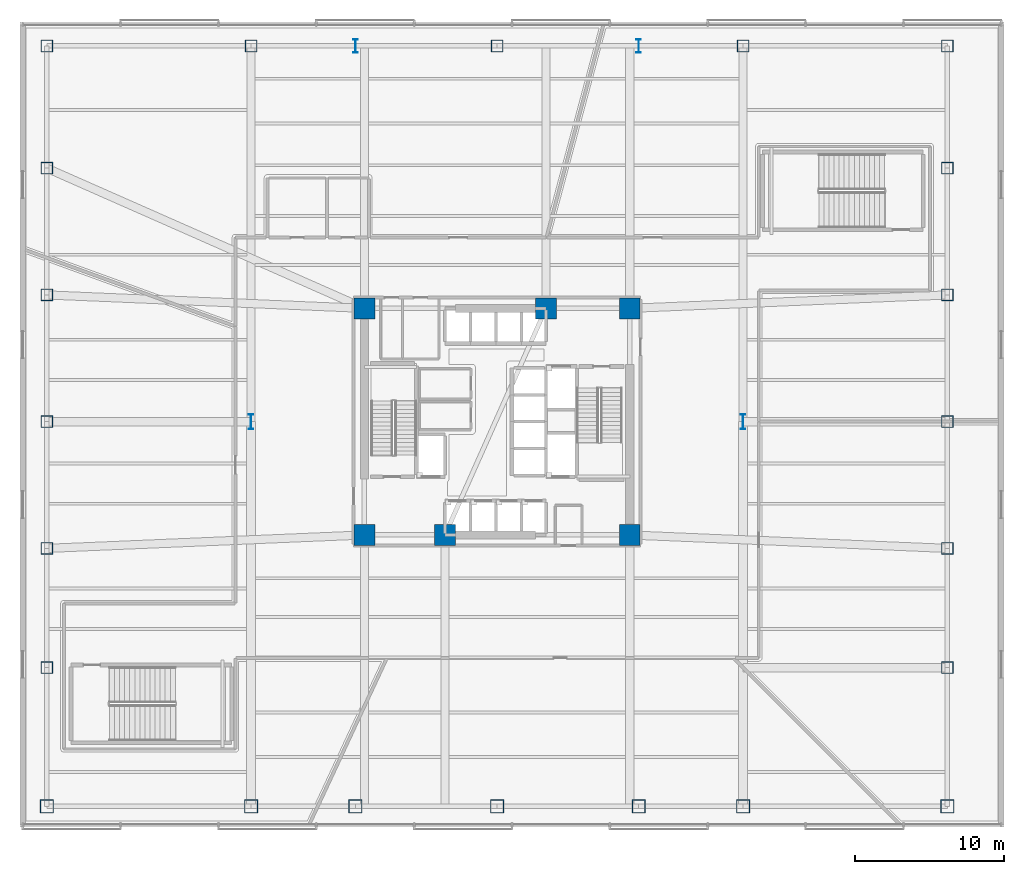
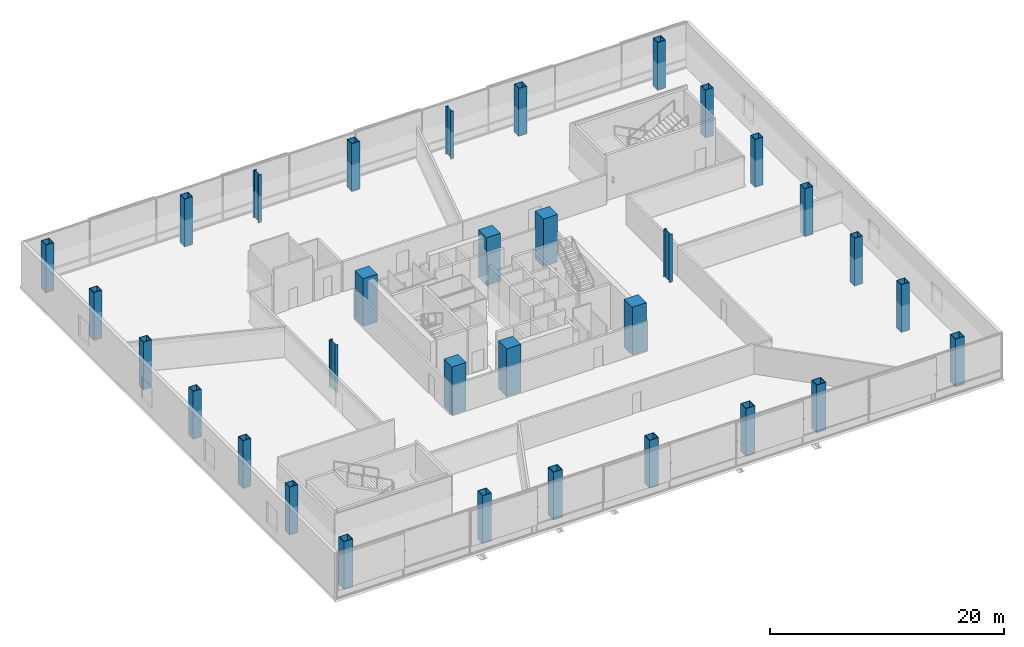
# One storey, part 1 of 24: 32 columns.
"""IFC4 building model written with IfcOpenShell, lengths in metres."""

from ifc_helpers import new_model, si_unit, direction, frame, origin, origin_2d, place, context, subcontext, project, spatial, rectangle, hollow_rectangle, i_section, extrude, material, material_profile, profile_set, type_object, element, save


model = new_model("IFC4")

# Units and contexts
model_context = context("Model", 3, precision=1e-05, world=origin(), true_north=direction((0.0, 1.0)))
body_context = subcontext(model_context, "Body", "Model", "MODEL_VIEW")
ifc_project = project(units=[si_unit("LENGTHUNIT", "METRE"), si_unit("AREAUNIT", "SQUARE_METRE"), si_unit("VOLUMEUNIT", "CUBIC_METRE"), si_unit("PLANEANGLEUNIT", "RADIAN"), si_unit("MASSUNIT", "GRAM", prefix="KILO")], contexts=[model_context])

# Site, building, storey
site_placement = place(None, origin())
site = spatial("IfcSite", under=ifc_project, at=site_placement, CompositionType="ELEMENT")
building_placement = place(site_placement, origin())
building = spatial("IfcBuilding", under=site, at=building_placement, Name="Tharavind Bronze Gate", CompositionType="ELEMENT")
storey_placement = place(building_placement, frame((0.0, 0.0, 21.5)))
storey = spatial("IfcBuildingStorey", under=building, at=storey_placement, Name="L04", CompositionType="ELEMENT", Elevation=21.5)

# Columns
ifc_material_1 = material(Name="Concrete C70/85", Category="concrete")
ifc_material_profile_1 = material_profile(ifc_material_1, rectangle(XDim=1.39990234375, YDim=1.39990234375, at=origin_2d()), Name="RCCOL1400")
ifc_profile_set_1 = profile_set([ifc_material_profile_1], Name="Concrete C70/85")
column_type_1 = type_object("IfcColumnType", Name="MEGA CORE COLUMN 1400", PredefinedType="COLUMN", material=ifc_profile_set_1)
for number, where, z_axis, x_axis, name in (
    (1, (-8.89990234375, -7.60009765625, 0.0), (0.0, 0.0, 1.0), (1.0, 0.0, 0.0), "L04 core mega column MC1"),
    (2, (-3.5, -7.60009765625, 0.0), (0.0, 0.0, 1.0), (1.0, 0.0, 0.0), "L04 core mega column MC2"),
    (3, (8.89990234375, -7.60009765625, 0.0), (0.0, 0.0, 1.0), (1.0, 0.0, 0.0), "L04 core mega column MC3"),
    (4, (8.89990234375, 7.60009765625, 0.0), (0.0, 0.0, 1.0), (1.0, 0.0, 0.0), "L04 core mega column MC4"),
    (5, (3.280029296875, 7.60009765625, 0.0), (0.0, 0.0, 1.0), (1.0, 0.0, 0.0), "L04 core mega column MC5"),
    (6, (-8.89990234375, 7.60009765625, 0.0), (0.0, 0.0, 1.0), (1.0, 0.0, 0.0), "L04 core mega column MC6"),
):
    element("IfcColumn", number, at=place(storey_placement, frame(where, z_axis=z_axis, x_axis=x_axis)), inside=storey, type_object=column_type_1, Name=name, PredefinedType="COLUMN", context=body_context, shape_type="SweptSolid", body=[
        extrude(rectangle(XDim=1.39990234375, YDim=1.39990234375, at=origin_2d()), origin(), (0.0, 0.0, 1.0), 5.0),
    ])
ifc_material_2 = material(Name="Steel S460", Category="steel")
ifc_material_profile_2 = material_profile(ifc_material_2, hollow_rectangle(XDim=0.800048828125, YDim=0.800048828125, WallThickness=0.044921875, at=origin_2d()), Name="SHS800X45")
ifc_profile_set_2 = profile_set([ifc_material_profile_2], Name="Steel S460")
column_type_2 = type_object("IfcColumnType", Name="PERIMETER BOX COLUMN SHS800", PredefinedType="COLUMN", material=ifc_profile_set_2)
for number, where, z_axis, x_axis, name in (
    (7, (-30.199951171875, 25.199951171875, 0.0), (0.0, 0.0, 1.0), (1.0, 0.0, 0.0), "L04 podium column PN10"),
    (8, (-16.5, 25.199951171875, 0.0), (0.0, 0.0, 1.0), (1.0, 0.0, 0.0), "L04 podium column PN24"),
    (9, (0.0, 25.199951171875, 0.0), (0.0, 0.0, 1.0), (1.0, 0.0, 0.0), "L04 podium column PN40"),
    (10, (16.5, 25.199951171875, 0.0), (0.0, 0.0, 1.0), (1.0, 0.0, 0.0), "L04 podium column PN56"),
    (11, (30.199951171875, 25.199951171875, 0.0), (0.0, 0.0, 1.0), (1.0, 0.0, 0.0), "L04 podium column PN70"),
    (12, (-30.199951171875, -16.5, 0.0), (0.0, 0.0, 1.0), (1.0, 0.0, 0.0), "L04 podium column PW14"),
    (13, (30.199951171875, -16.5, 0.0), (0.0, 0.0, 1.0), (1.0, 0.0, 0.0), "L04 podium column PE14"),
    (14, (-30.199951171875, -8.5, 0.0), (0.0, 0.0, 1.0), (1.0, 0.0, 0.0), "L04 podium column PW22"),
    (15, (30.199951171875, -8.5, 0.0), (0.0, 0.0, 1.0), (1.0, 0.0, 0.0), "L04 podium column PE22"),
    (16, (-30.199951171875, 0.0, 0.0), (0.0, 0.0, 1.0), (1.0, 0.0, 0.0), "L04 podium column PW30"),
    (17, (30.199951171875, 0.0, 0.0), (0.0, 0.0, 1.0), (1.0, 0.0, 0.0), "L04 podium column PE30"),
    (18, (-30.199951171875, 8.5, 0.0), (0.0, 0.0, 1.0), (1.0, 0.0, 0.0), "L04 podium column PW38"),
    (19, (30.199951171875, 8.5, 0.0), (0.0, 0.0, 1.0), (1.0, 0.0, 0.0), "L04 podium column PE38"),
    (20, (-30.199951171875, 17.0, 0.0), (0.0, 0.0, 1.0), (1.0, 0.0, 0.0), "L04 podium column PW47"),
    (21, (30.199951171875, 17.0, 0.0), (0.0, 0.0, 1.0), (1.0, 0.0, 0.0), "L04 podium column PE47"),
):
    element("IfcColumn", number, at=place(storey_placement, frame(where, z_axis=z_axis, x_axis=x_axis)), inside=storey, type_object=column_type_2, Name=name, PredefinedType="COLUMN", context=body_context, shape_type="SweptSolid", body=[
        extrude(hollow_rectangle(XDim=0.800048828125, YDim=0.800048828125, WallThickness=0.044921875, at=origin_2d()), origin(), (0.0, 0.0, 1.0), 5.0),
    ])
ifc_material_profile_3 = material_profile(ifc_material_2, hollow_rectangle(XDim=0.89990234375, YDim=0.89990234375, WallThickness=0.050048828125, at=origin_2d()), Name="SHS900X50")
ifc_profile_set_3 = profile_set([ifc_material_profile_3], Name="Steel S460")
column_type_3 = type_object("IfcColumnType", Name="PERIMETER BOX COLUMN SHS900", PredefinedType="COLUMN", material=ifc_profile_set_3)
for number, where, z_axis, x_axis, name in (
    (22, (-30.199951171875, -25.800048828125, 0.0), (0.0, 0.0, 1.0), (1.0, 0.0, 0.0), "L04 podium column PS10"),
    (23, (-16.5, -25.800048828125, 0.0), (0.0, 0.0, 1.0), (1.0, 0.0, 0.0), "L04 podium column PS24"),
    (24, (-9.5, -25.800048828125, 0.0), (0.0, 0.0, 1.0), (1.0, 0.0, 0.0), "L04 podium column PS30"),
    (25, (0.0, -25.800048828125, 0.0), (0.0, 0.0, 1.0), (1.0, 0.0, 0.0), "L04 podium column PS40"),
    (26, (9.5, -25.800048828125, 0.0), (0.0, 0.0, 1.0), (1.0, 0.0, 0.0), "L04 podium column PS50"),
    (27, (16.5, -25.800048828125, 0.0), (0.0, 0.0, 1.0), (1.0, 0.0, 0.0), "L04 podium column PS56"),
    (28, (30.199951171875, -25.800048828125, 0.0), (0.0, 0.0, 1.0), (1.0, 0.0, 0.0), "L04 podium column PS70"),
):
    element("IfcColumn", number, at=place(storey_placement, frame(where, z_axis=z_axis, x_axis=x_axis)), inside=storey, type_object=column_type_3, Name=name, PredefinedType="COLUMN", context=body_context, shape_type="SweptSolid", body=[
        extrude(hollow_rectangle(XDim=0.89990234375, YDim=0.89990234375, WallThickness=0.050048828125, at=origin_2d()), origin(), (0.0, 0.0, 1.0), 5.0),
    ])
ifc_material_profile_4 = material_profile(ifc_material_2, i_section(OverallWidth=0.302001953125, OverallDepth=1.008056640625, WebThickness=0.02099609375, FlangeThickness=0.0400390625, at=origin_2d()), Name="HE1000M")
ifc_profile_set_4 = profile_set([ifc_material_profile_4], Name="Steel S460")
column_type_4 = type_object("IfcColumnType", Name="PODIUM HALL COLUMN HE1000M", PredefinedType="COLUMN", material=ifc_profile_set_4)
for number, where, z_axis, x_axis, name in (
    (29, (-16.5, 0.0, 0.0), (0.0, 0.0, 1.0), (1.0, 0.0, 0.0), "L04 podium column PMW0"),
    (30, (16.5, 0.0, 0.0), (0.0, 0.0, 1.0), (1.0, 0.0, 0.0), "L04 podium column PME0"),
):
    element("IfcColumn", number, at=place(storey_placement, frame(where, z_axis=z_axis, x_axis=x_axis)), inside=storey, type_object=column_type_4, Name=name, PredefinedType="COLUMN", context=body_context, shape_type="SweptSolid", body=[
        extrude(i_section(OverallWidth=0.302001953125, OverallDepth=1.008056640625, WebThickness=0.02099609375, FlangeThickness=0.0400390625, at=origin_2d()), origin(), (0.0, 0.0, 1.0), 5.0),
    ])
ifc_material_profile_5 = material_profile(ifc_material_2, i_section(OverallWidth=0.300048828125, OverallDepth=0.89990234375, WebThickness=0.0185546875, FlangeThickness=0.034912109375, at=origin_2d()), Name="HE900B")
ifc_profile_set_5 = profile_set([ifc_material_profile_5], Name="Steel S460")
column_type_5 = type_object("IfcColumnType", Name="PODIUM HALL COLUMN HE900B", PredefinedType="COLUMN", material=ifc_profile_set_5)
for number, where, z_axis, x_axis, name in (
    (31, (-9.5, 25.199951171875, 0.0), (0.0, 0.0, 1.0), (1.0, 0.0, 0.0), "L04 podium column PN30"),
    (32, (9.5, 25.199951171875, 0.0), (0.0, 0.0, 1.0), (1.0, 0.0, 0.0), "L04 podium column PN50"),
):
    element("IfcColumn", number, at=place(storey_placement, frame(where, z_axis=z_axis, x_axis=x_axis)), inside=storey, type_object=column_type_5, Name=name, PredefinedType="COLUMN", context=body_context, shape_type="SweptSolid", body=[
        extrude(i_section(OverallWidth=0.300048828125, OverallDepth=0.89990234375, WebThickness=0.0185546875, FlangeThickness=0.034912109375, at=origin_2d()), origin(), (0.0, 0.0, 1.0), 5.0),
    ])

save(model, "model.ifc")
